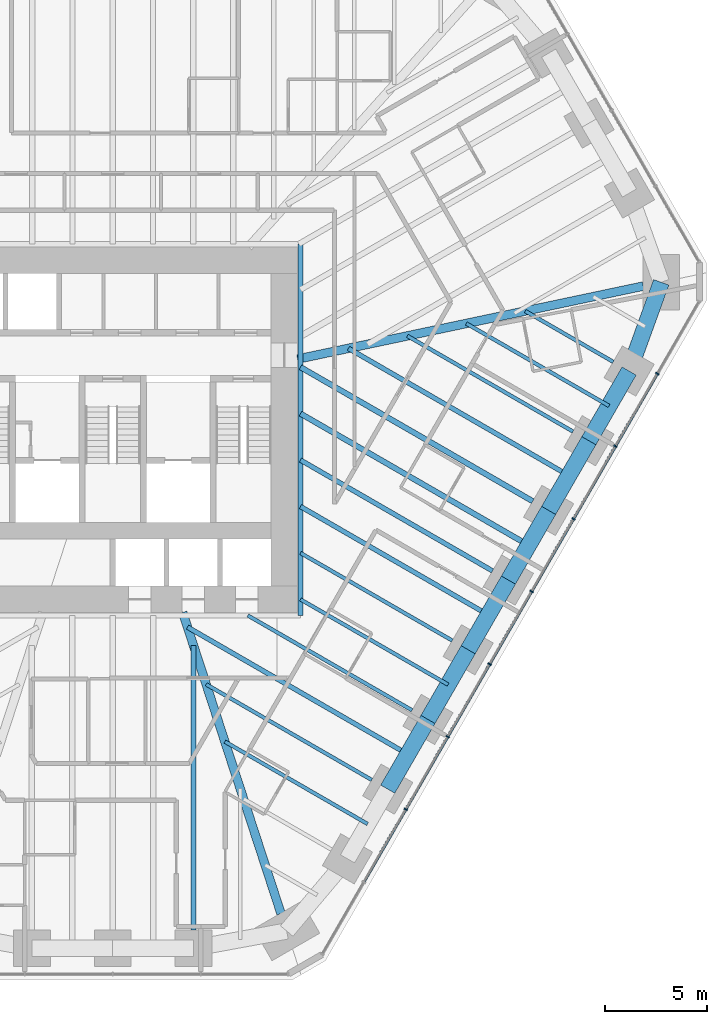
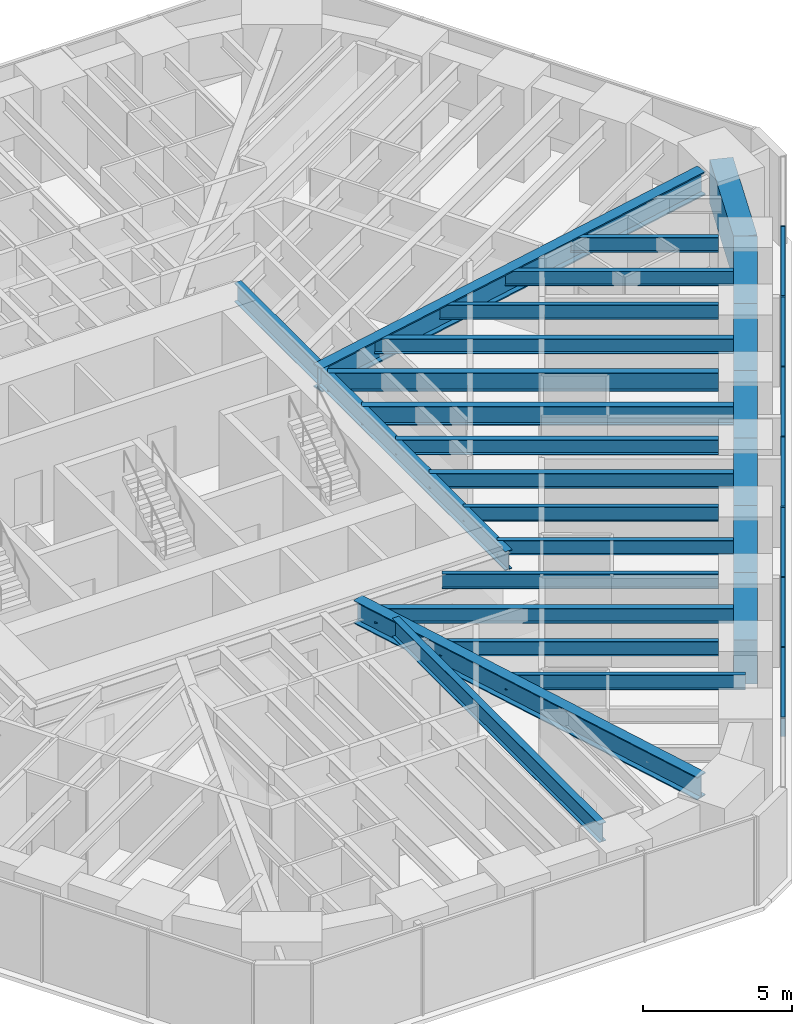
# One storey, part 5 of 16: 25 beams, 14 members, 1 element without a shape of its own.
"""IFC4 building model written with IfcOpenShell, lengths in metres."""

from ifc_helpers import new_model, si_unit, direction, frame, origin, origin_2d, place, context, subcontext, project, spatial, rectangle, i_section, extrude, material, material_profile, profile_set, type_object, element, aggregate, save


model = new_model("IFC4")

# Units and contexts
model_context = context("Model", 3, precision=1e-05, world=origin(), true_north=direction((0.0, 1.0)))
body_context = subcontext(model_context, "Body", "Model", "MODEL_VIEW")
ifc_project = project(units=[si_unit("LENGTHUNIT", "METRE"), si_unit("AREAUNIT", "SQUARE_METRE"), si_unit("VOLUMEUNIT", "CUBIC_METRE"), si_unit("PLANEANGLEUNIT", "RADIAN"), si_unit("MASSUNIT", "GRAM", prefix="KILO")], contexts=[model_context])

# Site, building, storey
site_placement = place(None, origin())
site = spatial("IfcSite", under=ifc_project, at=site_placement, CompositionType="ELEMENT")
building_placement = place(site_placement, origin())
building = spatial("IfcBuilding", under=site, at=building_placement, Name="Sandreach Pilgrim Tower", CompositionType="ELEMENT")
storey_placement = place(building_placement, frame((0.0, 0.0, 115.800048828125)))
storey = spatial("IfcBuildingStorey", under=building, at=storey_placement, Name="L28", CompositionType="ELEMENT", Elevation=115.800048828125)

# Curtain wall, members
ifc_material_1 = material(Name="Aluminium framed curtain wall", Category="aluminium")
curtain_wall_type = type_object("IfcCurtainWallType", Name="Hotel tower curtain wall", PredefinedType="NOTDEFINED", material=ifc_material_1)
curtain_wall_placement = place(storey_placement, origin())
curtain_wall = element("IfcCurtainWall", 1, at=curtain_wall_placement, inside=storey, type_object=curtain_wall_type, Name="CW-2 L28 SE", PredefinedType="NOTDEFINED")
ifc_material_2 = material(Name="Aluminium extrusion", Category="aluminium")
ifc_material_profile_1 = material_profile(ifc_material_2, rectangle(XDim=0.06494140625, YDim=0.179931640625, at=origin_2d()), Name="CW-2M 65X180")
ifc_profile_set_1 = profile_set([ifc_material_profile_1], Name="Aluminium extrusion")
member_type_1 = type_object("IfcMemberType", Name="CW-2 mullion", PredefinedType="MULLION", material=ifc_profile_set_1)
member_1_placement = place(storey_placement, frame((26.66748046875, 1.20166015625, 0.0), z_axis=(0.0, 0.0, 1.0), x_axis=(-0.5, -0.866025403784, 0.0)))
member_1 = element("IfcMember", 2, at=member_1_placement, type_object=member_type_1, Name="CW-2 mullion 2", PredefinedType="MULLION", context=body_context, shape_type="SweptSolid", body=[
    extrude(rectangle(XDim=0.06494140625, YDim=0.179931640625, at=origin_2d()), origin(), (0.0, 0.0, 1.0), 3.639892578125),
])
member_2_placement = place(storey_placement, frame((24.614013671875, -2.35498046875, 0.0), z_axis=(0.0, 0.0, 1.0), x_axis=(-0.5, -0.866025403784, 0.0)))
member_2 = element("IfcMember", 3, at=member_2_placement, type_object=member_type_1, Name="CW-2 mullion 3", PredefinedType="MULLION", context=body_context, shape_type="SweptSolid", body=[
    extrude(rectangle(XDim=0.06494140625, YDim=0.179931640625, at=origin_2d()), origin(), (0.0, 0.0, 1.0), 3.639892578125),
])
member_3_placement = place(storey_placement, frame((22.560302734375, -5.911865234375, 0.0), z_axis=(0.0, 0.0, 1.0), x_axis=(-0.5, -0.866025403784, 0.0)))
member_3 = element("IfcMember", 4, at=member_3_placement, type_object=member_type_1, Name="CW-2 mullion 4", PredefinedType="MULLION", context=body_context, shape_type="SweptSolid", body=[
    extrude(rectangle(XDim=0.06494140625, YDim=0.179931640625, at=origin_2d()), origin(), (0.0, 0.0, 1.0), 3.639892578125),
])
member_4_placement = place(storey_placement, frame((20.5068359375, -9.468505859375, 0.0), z_axis=(0.0, 0.0, 1.0), x_axis=(-0.5, -0.866025403784, 0.0)))
member_4 = element("IfcMember", 5, at=member_4_placement, type_object=member_type_1, Name="CW-2 mullion 5", PredefinedType="MULLION", context=body_context, shape_type="SweptSolid", body=[
    extrude(rectangle(XDim=0.06494140625, YDim=0.179931640625, at=origin_2d()), origin(), (0.0, 0.0, 1.0), 3.639892578125),
])
member_5_placement = place(storey_placement, frame((18.453369140625, -13.025146484375, 0.0), z_axis=(0.0, 0.0, 1.0), x_axis=(-0.5, -0.866025403784, 0.0)))
member_5 = element("IfcMember", 6, at=member_5_placement, type_object=member_type_1, Name="CW-2 mullion 6", PredefinedType="MULLION", context=body_context, shape_type="SweptSolid", body=[
    extrude(rectangle(XDim=0.06494140625, YDim=0.179931640625, at=origin_2d()), origin(), (0.0, 0.0, 1.0), 3.639892578125),
])
member_6_placement = place(storey_placement, frame((16.39990234375, -16.58203125, 0.0), z_axis=(0.0, 0.0, 1.0), x_axis=(-0.5, -0.866025403784, 0.0)))
member_6 = element("IfcMember", 7, at=member_6_placement, type_object=member_type_1, Name="CW-2 mullion 7", PredefinedType="MULLION", context=body_context, shape_type="SweptSolid", body=[
    extrude(rectangle(XDim=0.06494140625, YDim=0.179931640625, at=origin_2d()), origin(), (0.0, 0.0, 1.0), 3.639892578125),
])
member_7_placement = place(storey_placement, frame((14.346435546875, -20.138671875, 0.0), z_axis=(0.0, 0.0, 1.0), x_axis=(-0.5, -0.866025403784, 0.0)))
member_7 = element("IfcMember", 8, at=member_7_placement, type_object=member_type_1, Name="CW-2 mullion 8", PredefinedType="MULLION", context=body_context, shape_type="SweptSolid", body=[
    extrude(rectangle(XDim=0.06494140625, YDim=0.179931640625, at=origin_2d()), origin(), (0.0, 0.0, 1.0), 3.639892578125),
])
ifc_material_3 = material(Name="Aluminium extrusion", Category="aluminium")
ifc_material_profile_2 = material_profile(ifc_material_3, rectangle(XDim=0.139892578125, YDim=0.070068359375, at=origin_2d()), Name="CW-2T 140X70")
ifc_profile_set_2 = profile_set([ifc_material_profile_2], Name="Aluminium extrusion")
member_type_2 = type_object("IfcMemberType", Name="CW-2 transom", PredefinedType="USERDEFINED", material=ifc_profile_set_2)
member_8_placement = place(storey_placement, frame((26.651123046875, 1.173583984375, 3.60498046875), z_axis=(-0.499997818338, -0.866026663364, 0.0), x_axis=(0.866026663364, -0.499997818338, 0.0)))
member_8 = element("IfcMember", 9, at=member_8_placement, type_object=member_type_2, Name="CW-2 head transom 2", ObjectType="TRANSOM", PredefinedType="USERDEFINED", context=body_context, shape_type="SweptSolid", body=[
    extrude(rectangle(XDim=0.139892578125, YDim=0.070068359375, at=origin_2d()), origin(), (0.0, 0.0, 1.0), 4.0419921875),
])
member_9_placement = place(storey_placement, frame((24.59765625, -2.38330078125, 3.60498046875), z_axis=(-0.500023973715, -0.866011562111, 0.0), x_axis=(0.866011562111, -0.500023973715, 0.0)))
member_9 = element("IfcMember", 10, at=member_9_placement, type_object=member_type_2, Name="CW-2 head transom 3", ObjectType="TRANSOM", PredefinedType="USERDEFINED", context=body_context, shape_type="SweptSolid", body=[
    extrude(rectangle(XDim=0.139892578125, YDim=0.070068359375, at=origin_2d()), origin(), (0.0, 0.0, 1.0), 4.041748046875),
])
member_10_placement = place(storey_placement, frame((22.544189453125, -5.93994140625, 3.60498046875), z_axis=(-0.499997818338, -0.866026663364, 0.0), x_axis=(0.866026663364, -0.499997818338, 0.0)))
member_10 = element("IfcMember", 11, at=member_10_placement, type_object=member_type_2, Name="CW-2 head transom 4", ObjectType="TRANSOM", PredefinedType="USERDEFINED", context=body_context, shape_type="SweptSolid", body=[
    extrude(rectangle(XDim=0.139892578125, YDim=0.070068359375, at=origin_2d()), origin(), (0.0, 0.0, 1.0), 4.0419921875),
])
member_11_placement = place(storey_placement, frame((20.49072265625, -9.49658203125, 3.60498046875), z_axis=(-0.499997818338, -0.866026663364, 0.0), x_axis=(0.866026663364, -0.499997818338, 0.0)))
member_11 = element("IfcMember", 12, at=member_11_placement, type_object=member_type_2, Name="CW-2 head transom 5", ObjectType="TRANSOM", PredefinedType="USERDEFINED", context=body_context, shape_type="SweptSolid", body=[
    extrude(rectangle(XDim=0.139892578125, YDim=0.070068359375, at=origin_2d()), origin(), (0.0, 0.0, 1.0), 4.0419921875),
])
member_12_placement = place(storey_placement, frame((18.437255859375, -13.053466796875, 3.60498046875), z_axis=(-0.499997818338, -0.866026663364, 0.0), x_axis=(0.866026663364, -0.499997818338, 0.0)))
member_12 = element("IfcMember", 13, at=member_12_placement, type_object=member_type_2, Name="CW-2 head transom 6", ObjectType="TRANSOM", PredefinedType="USERDEFINED", context=body_context, shape_type="SweptSolid", body=[
    extrude(rectangle(XDim=0.139892578125, YDim=0.070068359375, at=origin_2d()), origin(), (0.0, 0.0, 1.0), 4.0419921875),
])
member_13_placement = place(storey_placement, frame((16.3837890625, -16.610107421875, 3.60498046875), z_axis=(-0.499997818338, -0.866026663364, 0.0), x_axis=(0.866026663364, -0.499997818338, 0.0)))
member_13 = element("IfcMember", 14, at=member_13_placement, type_object=member_type_2, Name="CW-2 head transom 7", ObjectType="TRANSOM", PredefinedType="USERDEFINED", context=body_context, shape_type="SweptSolid", body=[
    extrude(rectangle(XDim=0.139892578125, YDim=0.070068359375, at=origin_2d()), origin(), (0.0, 0.0, 1.0), 4.0419921875),
])
member_14_placement = place(storey_placement, frame((14.330322265625, -20.1669921875, 3.60498046875), z_axis=(-0.500023973715, -0.866011562111, 0.0), x_axis=(0.866011562111, -0.500023973715, 0.0)))
member_14 = element("IfcMember", 15, at=member_14_placement, type_object=member_type_2, Name="CW-2 head transom 8", ObjectType="TRANSOM", PredefinedType="USERDEFINED", context=body_context, shape_type="SweptSolid", body=[
    extrude(rectangle(XDim=0.139892578125, YDim=0.070068359375, at=origin_2d()), origin(), (0.0, 0.0, 1.0), 4.041748046875),
])
aggregate(curtain_wall, [member_1, member_2, member_3, member_4, member_5, member_6, member_7, member_8, member_9, member_10, member_11, member_12, member_13, member_14])

# Beams
ifc_material_4 = material(Name="Steel ASTM A992 Grade 50", Category="steel")
ifc_material_profile_3 = material_profile(ifc_material_4, i_section(OverallWidth=0.2666015625, OverallDepth=0.77978515625, WebThickness=0.0166015625, FlangeThickness=0.030029296875, at=origin_2d()), Name="W30X148")
ifc_profile_set_3 = profile_set([ifc_material_profile_3], Name="Steel ASTM A992 Grade 50")
beam_type_1 = type_object("IfcBeamType", Name="Core edge beam W30X148", PredefinedType="BEAM", material=ifc_profile_set_3)
beam_1_placement = place(storey_placement, frame((9.193359375, 7.54345703125, 3.25), z_axis=(0.0, -1.0, 0.0), x_axis=(1.0, 0.0, 0.0)))
element("IfcBeam", 16, at=beam_1_placement, inside=storey, type_object=beam_type_1, Name="BM L28 CEE", PredefinedType="BEAM", context=body_context, shape_type="SweptSolid", body=[
    extrude(i_section(OverallWidth=0.2666015625, OverallDepth=0.77978515625, WebThickness=0.0166015625, FlangeThickness=0.030029296875, at=origin_2d()), origin(), (0.0, 0.0, 1.0), 18.186767578125),
])
ifc_material_5 = material(Name="Steel ASTM A992 Grade 50", Category="steel")
ifc_material_profile_4 = material_profile(ifc_material_5, i_section(OverallWidth=0.421630859375, OverallDepth=0.937255859375, WebThickness=0.0224609375, FlangeThickness=0.039794921875, at=origin_2d()), Name="W36X282")
ifc_profile_set_4 = profile_set([ifc_material_profile_4], Name="Steel ASTM A992 Grade 50")
beam_type_2 = type_object("IfcBeamType", Name="Corner girder W36X282", PredefinedType="BEAM", material=ifc_profile_set_4)
beam_2_placement = place(storey_placement, frame((8.238525390625, -25.23876953125, 3.17138671875), z_axis=(-0.310307109519, 0.950636364643, 0.0), x_axis=(-0.950636364643, -0.310307109519, 0.0)))
element("IfcBeam", 17, at=beam_2_placement, inside=storey, type_object=beam_type_2, Name="BM L28 CG22", PredefinedType="BEAM", context=body_context, shape_type="SweptSolid", body=[
    extrude(i_section(OverallWidth=0.421630859375, OverallDepth=0.937255859375, WebThickness=0.0224609375, FlangeThickness=0.039794921875, at=origin_2d()), origin(), (0.0, 0.0, 1.0), 15.504150390625),
])
ifc_material_6 = material(Name="Steel ASTM A992 Grade 50", Category="steel")
ifc_material_profile_5 = material_profile(ifc_material_6, i_section(OverallWidth=0.424072265625, OverallDepth=0.965087890625, WebThickness=0.028564453125, FlangeThickness=0.051025390625, at=origin_2d()), Name="W36X361")
ifc_profile_set_5 = profile_set([ifc_material_profile_5], Name="Steel ASTM A992 Grade 50")
beam_type_3 = type_object("IfcBeamType", Name="Corner girder W36X361", PredefinedType="BEAM", material=ifc_profile_set_5)
beam_3_placement = place(storey_placement, frame((25.976806640625, 5.484619140625, 3.157470703125), z_axis=(-0.978427882284, -0.206588671447, 0.0), x_axis=(0.206588671447, -0.978427882284, 0.0)))
element("IfcBeam", 18, at=beam_3_placement, inside=storey, type_object=beam_type_3, Name="BM L28 CG13", PredefinedType="BEAM", context=body_context, shape_type="SweptSolid", body=[
    extrude(i_section(OverallWidth=0.424072265625, OverallDepth=0.965087890625, WebThickness=0.028564453125, FlangeThickness=0.051025390625, at=origin_2d()), origin(), (0.0, 0.0, 1.0), 17.300048828125),
])
ifc_material_7 = material(Name="Steel ASTM A992 Grade 50", Category="steel")
ifc_material_profile_6 = material_profile(ifc_material_7, i_section(OverallWidth=0.1787109375, OverallDepth=0.60205078125, WebThickness=0.010986328125, FlangeThickness=0.014892578125, at=origin_2d()), Name="W24X62")
ifc_profile_set_6 = profile_set([ifc_material_profile_6], Name="Steel ASTM A992 Grade 50")
beam_type_4 = type_object("IfcBeamType", Name="Floor beam W24X62", PredefinedType="BEAM", material=ifc_profile_set_6)
beam_4_placement = place(storey_placement, frame((24.50439453125, 1.775390625, 3.3388671875), z_axis=(-0.866024645457, 0.500001313459, 0.0), x_axis=(-0.500001313459, -0.866024645457, 0.0)))
element("IfcBeam", 19, at=beam_4_placement, inside=storey, type_object=beam_type_4, Name="BM L28 F14", PredefinedType="BEAM", context=body_context, shape_type="SweptSolid", body=[
    extrude(i_section(OverallWidth=0.1787109375, OverallDepth=0.60205078125, WebThickness=0.010986328125, FlangeThickness=0.014892578125, at=origin_2d()), origin(), (0.0, 0.0, 1.0), 4.9765625),
])
beam_5_placement = place(storey_placement, frame((22.534423828125, -1.63671875, 3.3388671875), z_axis=(-0.866012351917, 0.500022605817, 0.0), x_axis=(-0.500022605817, -0.866012351917, 0.0)))
element("IfcBeam", 20, at=beam_5_placement, inside=storey, type_object=beam_type_4, Name="BM L28 F15", PredefinedType="BEAM", context=body_context, shape_type="SweptSolid", body=[
    extrude(i_section(OverallWidth=0.1787109375, OverallDepth=0.60205078125, WebThickness=0.010986328125, FlangeThickness=0.014892578125, at=origin_2d()), origin(), (0.0, 0.0, 1.0), 9.3642578125),
])
beam_6_placement = place(storey_placement, frame((16.62451171875, -11.873046875, 3.3388671875), z_axis=(-0.866017857595, 0.500013070155, 0.0), x_axis=(-0.500013070155, -0.866017857595, 0.0)))
element("IfcBeam", 21, at=beam_6_placement, inside=storey, type_object=beam_type_4, Name="BM L28 F18", PredefinedType="BEAM", context=body_context, shape_type="SweptSolid", body=[
    extrude(i_section(OverallWidth=0.1787109375, OverallDepth=0.60205078125, WebThickness=0.010986328125, FlangeThickness=0.014892578125, at=origin_2d()), origin(), (0.0, 0.0, 1.0), 8.580810546875),
])
beam_7_placement = place(storey_placement, frame((14.654541015625, -15.28515625, 3.3388671875), z_axis=(-0.866015659929, 0.500016876472, 0.0), x_axis=(-0.500016876472, -0.866015659929, 0.0)))
element("IfcBeam", 22, at=beam_7_placement, inside=storey, type_object=beam_type_4, Name="BM L28 F19", PredefinedType="BEAM", context=body_context, shape_type="SweptSolid", body=[
    extrude(i_section(OverallWidth=0.1787109375, OverallDepth=0.60205078125, WebThickness=0.010986328125, FlangeThickness=0.014892578125, at=origin_2d()), origin(), (0.0, 0.0, 1.0), 9.283447265625),
])
beam_8_placement = place(storey_placement, frame((12.6845703125, -18.697265625, 3.3388671875), z_axis=(-0.866012351917, 0.500022605817, 0.0), x_axis=(-0.500022605817, -0.866012351917, 0.0)))
element("IfcBeam", 23, at=beam_8_placement, inside=storey, type_object=beam_type_4, Name="BM L28 F20", PredefinedType="BEAM", context=body_context, shape_type="SweptSolid", body=[
    extrude(i_section(OverallWidth=0.1787109375, OverallDepth=0.60205078125, WebThickness=0.010986328125, FlangeThickness=0.014892578125, at=origin_2d()), origin(), (0.0, 0.0, 1.0), 9.3642578125),
])
beam_9_placement = place(storey_placement, frame((24.298828125, -0.380615234375, 3.3388671875), z_axis=(-0.866022864518, 0.500004398112, 0.0), x_axis=(-0.500004398112, -0.866022864518, 0.0)))
element("IfcBeam", 24, at=beam_9_placement, inside=storey, type_object=beam_type_4, Name="BM L28 FM14", PredefinedType="BEAM", context=body_context, shape_type="SweptSolid", body=[
    extrude(i_section(OverallWidth=0.1787109375, OverallDepth=0.60205078125, WebThickness=0.010986328125, FlangeThickness=0.014892578125, at=origin_2d()), origin(), (0.0, 0.0, 1.0), 8.0703125),
])
beam_10_placement = place(storey_placement, frame((16.4189453125, -14.029052734375, 3.3388671875), z_axis=(-0.866016009309, 0.500016271356, 0.0), x_axis=(-0.500016271356, -0.866016009309, 0.0)))
element("IfcBeam", 25, at=beam_10_placement, inside=storey, type_object=beam_type_4, Name="BM L28 FM18", PredefinedType="BEAM", context=body_context, shape_type="SweptSolid", body=[
    extrude(i_section(OverallWidth=0.1787109375, OverallDepth=0.60205078125, WebThickness=0.010986328125, FlangeThickness=0.014892578125, at=origin_2d()), origin(), (0.0, 0.0, 1.0), 8.343505859375),
])
beam_11_placement = place(storey_placement, frame((12.47900390625, -20.853271484375, 3.3388671875), z_axis=(-0.866017328257, 0.500013986963, 0.0), x_axis=(-0.500013986963, -0.866017328257, 0.0)))
element("IfcBeam", 26, at=beam_11_placement, inside=storey, type_object=beam_type_4, Name="BM L28 FM20", PredefinedType="BEAM", context=body_context, shape_type="SweptSolid", body=[
    extrude(i_section(OverallWidth=0.1787109375, OverallDepth=0.60205078125, WebThickness=0.010986328125, FlangeThickness=0.014892578125, at=origin_2d()), origin(), (0.0, 0.0, 1.0), 8.070556640625),
])
ifc_material_8 = material(Name="Steel ASTM A992 Grade 50", Category="steel")
ifc_material_profile_7 = material_profile(ifc_material_8, i_section(OverallWidth=0.23046875, OverallDepth=0.6171875, WebThickness=0.01318359375, FlangeThickness=0.022216796875, at=origin_2d()), Name="W24X94")
ifc_profile_set_7 = profile_set([ifc_material_profile_7], Name="Steel ASTM A992 Grade 50")
beam_type_5 = type_object("IfcBeamType", Name="Floor beam W24X94", PredefinedType="BEAM", material=ifc_profile_set_7)
beam_12_placement = place(storey_placement, frame((18.594482421875, -8.4609375, 3.331298828125), z_axis=(-0.866015926388, 0.500016414973, 0.0), x_axis=(-0.500016414973, -0.866015926388, 0.0)))
element("IfcBeam", 27, at=beam_12_placement, inside=storey, type_object=beam_type_5, Name="BM L28 F17", PredefinedType="BEAM", context=body_context, shape_type="SweptSolid", body=[
    extrude(i_section(OverallWidth=0.23046875, OverallDepth=0.6171875, WebThickness=0.01318359375, FlangeThickness=0.022216796875, at=origin_2d()), origin(), (0.0, 0.0, 1.0), 10.855712890625),
])
beam_13_placement = place(storey_placement, frame((22.328857421875, -3.792724609375, 3.331298828125), z_axis=(-0.866019150617, 0.500010830648, 0.0), x_axis=(-0.500010830648, -0.866019150617, 0.0)))
element("IfcBeam", 28, at=beam_13_placement, inside=storey, type_object=beam_type_5, Name="BM L28 FM15", PredefinedType="BEAM", context=body_context, shape_type="SweptSolid", body=[
    extrude(i_section(OverallWidth=0.23046875, OverallDepth=0.6171875, WebThickness=0.01318359375, FlangeThickness=0.022216796875, at=origin_2d()), origin(), (0.0, 0.0, 1.0), 12.458251953125),
])
beam_14_placement = place(storey_placement, frame((18.388916015625, -10.616943359375, 3.331298828125), z_axis=(-0.866024387147, 0.500001760863, 0.0), x_axis=(-0.500001760863, -0.866024387147, 0.0)))
element("IfcBeam", 29, at=beam_14_placement, inside=storey, type_object=beam_type_5, Name="BM L28 FM17", PredefinedType="BEAM", context=body_context, shape_type="SweptSolid", body=[
    extrude(i_section(OverallWidth=0.23046875, OverallDepth=0.6171875, WebThickness=0.01318359375, FlangeThickness=0.022216796875, at=origin_2d()), origin(), (0.0, 0.0, 1.0), 10.6181640625),
])
beam_15_placement = place(storey_placement, frame((14.448974609375, -17.441162109375, 3.331298828125), z_axis=(-0.866019150617, 0.500010830648, 0.0), x_axis=(-0.500010830648, -0.866019150617, 0.0)))
element("IfcBeam", 30, at=beam_15_placement, inside=storey, type_object=beam_type_5, Name="BM L28 FM19", PredefinedType="BEAM", context=body_context, shape_type="SweptSolid", body=[
    extrude(i_section(OverallWidth=0.23046875, OverallDepth=0.6171875, WebThickness=0.01318359375, FlangeThickness=0.022216796875, at=origin_2d()), origin(), (0.0, 0.0, 1.0), 12.458251953125),
])
ifc_material_9 = material(Name="Steel ASTM A992 Grade 50", Category="steel")
ifc_material_profile_8 = material_profile(ifc_material_9, i_section(OverallWidth=0.2666015625, OverallDepth=0.761962890625, WebThickness=0.014404296875, FlangeThickness=0.021484375, at=origin_2d()), Name="W30X116")
ifc_profile_set_8 = profile_set([ifc_material_profile_8], Name="Steel ASTM A992 Grade 50")
beam_type_6 = type_object("IfcBeamType", Name="Floor beam W30X116", PredefinedType="BEAM", material=ifc_profile_set_8)
beam_16_placement = place(storey_placement, frame((20.564453125, -5.048828125, 3.259033203125), z_axis=(-0.866022715736, 0.500004655807, 0.0), x_axis=(-0.500004655807, -0.866022715736, 0.0)))
element("IfcBeam", 31, at=beam_16_placement, inside=storey, type_object=beam_type_6, Name="BM L28 F16", PredefinedType="BEAM", context=body_context, shape_type="SweptSolid", body=[
    extrude(i_section(OverallWidth=0.2666015625, OverallDepth=0.761962890625, WebThickness=0.014404296875, FlangeThickness=0.021484375, at=origin_2d()), origin(), (0.0, 0.0, 1.0), 13.130126953125),
])
beam_17_placement = place(storey_placement, frame((3.955322265625, -26.0322265625, 3.259033203125), z_axis=(0.0, 1.0, 0.0), x_axis=(-1.0, 0.0, 0.0)))
element("IfcBeam", 32, at=beam_17_placement, inside=storey, type_object=beam_type_6, Name="BM L28 F23", PredefinedType="BEAM", context=body_context, shape_type="SweptSolid", body=[
    extrude(i_section(OverallWidth=0.2666015625, OverallDepth=0.761962890625, WebThickness=0.014404296875, FlangeThickness=0.021484375, at=origin_2d()), origin(), (0.0, 0.0, 1.0), 13.91552734375),
])
beam_18_placement = place(storey_placement, frame((20.35888671875, -7.204833984375, 3.259033203125), z_axis=(-0.866021609098, 0.500006572533, 0.0), x_axis=(-0.500006572533, -0.866021609098, 0.0)))
element("IfcBeam", 33, at=beam_18_placement, inside=storey, type_object=beam_type_6, Name="BM L28 FM16", PredefinedType="BEAM", context=body_context, shape_type="SweptSolid", body=[
    extrude(i_section(OverallWidth=0.2666015625, OverallDepth=0.761962890625, WebThickness=0.014404296875, FlangeThickness=0.021484375, at=origin_2d()), origin(), (0.0, 0.0, 1.0), 12.892822265625),
])
ifc_material_10 = material(Name="Concrete 10000 psi", Category="concrete")
ifc_material_profile_9 = material_profile(ifc_material_10, rectangle(XDim=0.800048828125, YDim=1.800048828125, at=origin_2d()), Name="RC800X1800")
ifc_profile_set_9 = profile_set([ifc_material_profile_9], Name="Concrete 10000 psi")
beam_type_7 = type_object("IfcBeamType", Name="Spandrel beam RC800X1800", PredefinedType="SPANDREL", material=ifc_profile_set_9)
beam_19_placement = place(storey_placement, frame((26.857177734375, 5.67041015625, 2.739990234375), z_axis=(-0.340453163563, -0.940261476091, 0.0), x_axis=(0.940261476091, -0.340453163563, 0.0)))
element("IfcBeam", 34, at=beam_19_placement, inside=storey, type_object=beam_type_7, Name="BM L28 SP13", PredefinedType="SPANDREL", context=body_context, shape_type="SweptSolid", body=[
    extrude(rectangle(XDim=0.800048828125, YDim=1.800048828125, at=origin_2d()), origin(), (0.0, 0.0, 1.0), 4.62109375),
])
for number, where, z_axis, x_axis, name in (
    (35, (25.283935546875, 1.325439453125, 2.739990234375), (-0.49999779889, -0.866026674592, 0.0), (0.866026674592, -0.49999779889, 0.0), "BM L28 SP14"),
    (36, (23.31396484375, -2.086669921875, 2.739990234375), (-0.49999779889, -0.866026674592, 0.0), (0.866026674592, -0.49999779889, 0.0), "BM L28 SP15"),
    (37, (21.343994140625, -5.498779296875, 2.739990234375), (-0.49999779889, -0.866026674592, 0.0), (0.866026674592, -0.49999779889, 0.0), "BM L28 SP16"),
    (38, (19.3740234375, -8.910888671875, 2.739990234375), (-0.49999779889, -0.866026674592, 0.0), (0.866026674592, -0.49999779889, 0.0), "BM L28 SP17"),
    (39, (17.404052734375, -12.322998046875, 2.739990234375), (-0.49999779889, -0.866026674592, 0.0), (0.866026674592, -0.49999779889, 0.0), "BM L28 SP18"),
    (40, (15.43408203125, -15.735107421875, 2.739990234375), (-0.49999779889, -0.866026674592, 0.0), (0.866026674592, -0.49999779889, 0.0), "BM L28 SP19"),
):
    element("IfcBeam", number, at=place(storey_placement, frame(where, z_axis=z_axis, x_axis=x_axis)), inside=storey, type_object=beam_type_7, Name=name, PredefinedType="SPANDREL", context=body_context, shape_type="SweptSolid", body=[
        extrude(rectangle(XDim=0.800048828125, YDim=1.800048828125, at=origin_2d()), origin(), (0.0, 0.0, 1.0), 3.93994140625),
    ])

save(model, "model.ifc")
